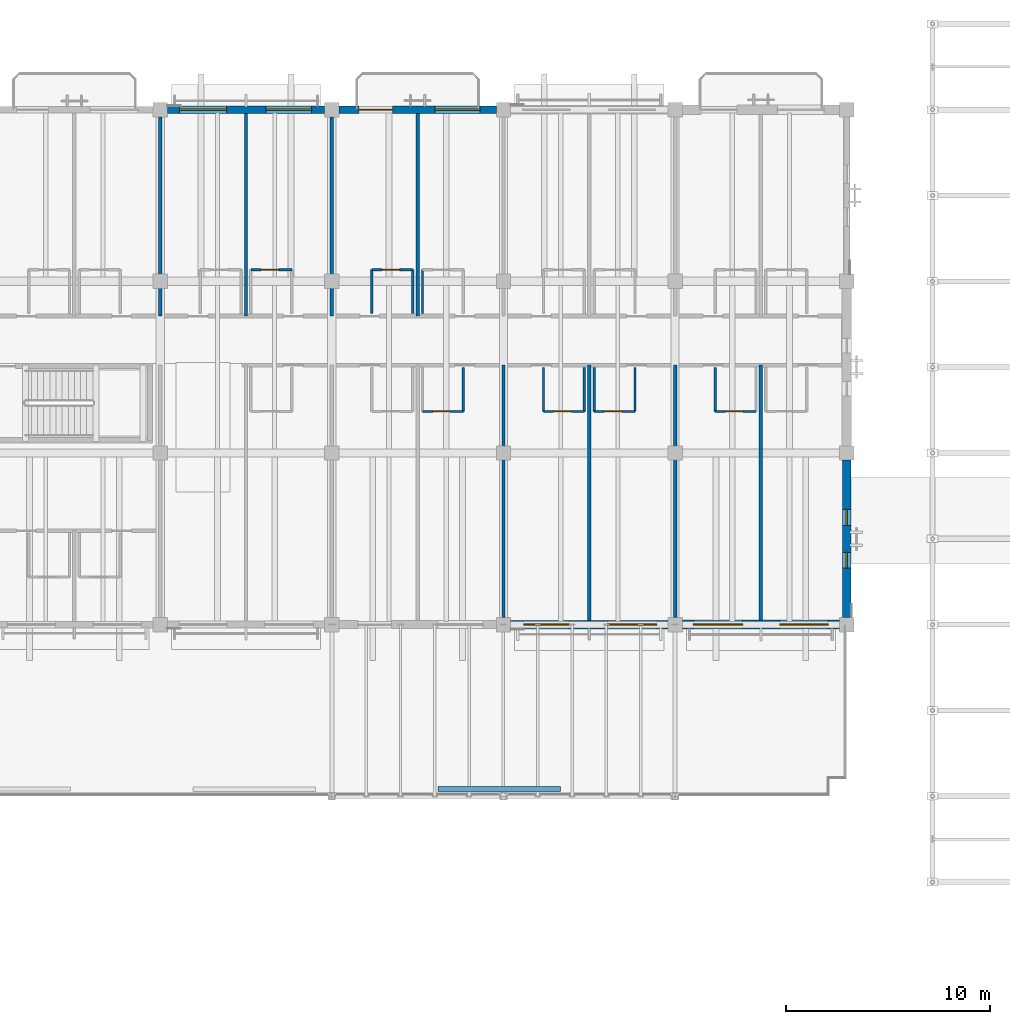
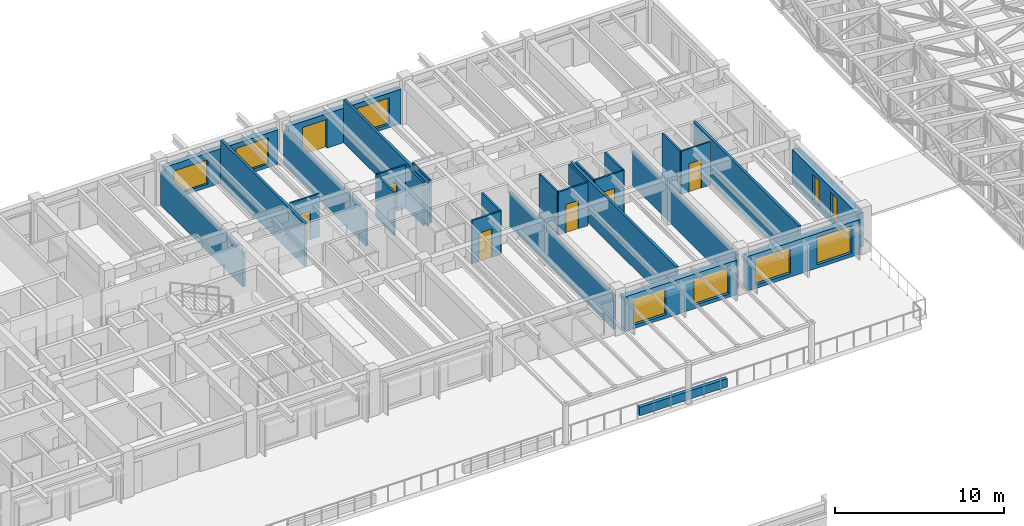
# One storey, part 92 of 111: 29 walls, 9 windows, 7 doors, 16 openings.
"""IFC4 building model written with IfcOpenShell, lengths in metres."""

from ifc_helpers import new_model, si_unit, direction, frame, frame_2d, origin, place, context, subcontext, project, spatial, rectangle, extrude, material, layer, layer_set, type_object, element, fill, save


model = new_model("IFC4")

# Units and contexts
model_context = context("Model", 3, precision=1e-05, world=origin(), true_north=direction((0.0, 1.0)))
body_context = subcontext(model_context, "Body", "Model", "MODEL_VIEW")
ifc_project = project(units=[si_unit("LENGTHUNIT", "METRE"), si_unit("AREAUNIT", "SQUARE_METRE"), si_unit("VOLUMEUNIT", "CUBIC_METRE"), si_unit("PLANEANGLEUNIT", "RADIAN"), si_unit("MASSUNIT", "GRAM", prefix="KILO")], contexts=[model_context])

# Site, building, storey
site_placement = place(None, origin())
site = spatial("IfcSite", under=ifc_project, at=site_placement, CompositionType="ELEMENT")
building_placement = place(site_placement, origin())
building = spatial("IfcBuilding", under=site, at=building_placement, Name="Cumbredor Promenade Congress Hotel", CompositionType="ELEMENT")
storey_placement = place(building_placement, frame((0.0, 0.0, 15.1201171875)))
storey = spatial("IfcBuildingStorey", under=building, at=storey_placement, Name="L04", CompositionType="ELEMENT", Elevation=15.1201171875)

# Wall, opening, door
ifc_material_1 = material(Name="Moisture-resistant gypsum board on steel studs", Category="steel")
ifc_layer_1 = layer(ifc_material_1, 0.114990234375, Name="Moisture-resistant gypsum board on steel studs", Category="steel")
ifc_layer_set_1 = layer_set([ifc_layer_1], Name="Moisture-resistant gypsum board on steel studs")
wall_type_1 = type_object("IfcWallType", Name="WL-BATH-115", PredefinedType="PARTITIONING", material=ifc_layer_set_1)
wall_1_placement = place(storey_placement, frame((54.840087890625, 109.77001953125, 0.0), z_axis=(0.0, 0.0, 1.0), x_axis=(1.0, 0.0, 0.0)))
wall_1 = element("IfcWall", 1, at=wall_1_placement, inside=storey, type_object=wall_type_1, Name="L04 Interior Partition W-L04-BH-0411", PredefinedType="PARTITIONING", context=body_context, shape_type="SweptSolid", body=[
    extrude(rectangle(XDim=2.0, YDim=0.114990234375, at=frame_2d((1.0, 0.0))), origin(), (0.0, 0.0, 1.0), 3.119873046875),
])
opening_1_placement = place(wall_1_placement, frame((0.5, 0.0, 0.0)))
opening_1 = element("IfcOpeningElement", 2, at=opening_1_placement, cuts=wall_1, Name="Opening ID-01", PredefinedType="OPENING", context=body_context, shape_type="SweptSolid", body=[
    extrude(rectangle(XDim=0.860107421875, YDim=2.050048828125, at=frame_2d((0.43017578125, 1.02490234375))), frame((0.0, 0.0673828125, 0.0), z_axis=(0.0, -1.0, 0.0), x_axis=(1.0, 0.0, 0.0)), (0.0, 0.0, 1.0), 0.135009765625),
])
ifc_material_2 = material(Name="Kiln-dried tropical hardwood", Category="wood")
door_type_1 = type_object("IfcDoorType", Name="DR-BATH-860", OperationType="NOTDEFINED", PredefinedType="DOOR", material=ifc_material_2)
door_1_placement = place(opening_1_placement, origin())
door_1 = element("IfcDoor", 3, at=door_1_placement, inside=storey, type_object=door_type_1, Name="L04 Interior Door W-L04-BH-0411-01", OperationType="SINGLE_SWING_RIGHT", OverallHeight=2.050048828125, OverallWidth=0.860107421875, PredefinedType="DOOR", context=body_context, shape_type="SweptSolid", body=[
    extrude(rectangle(XDim=0.860107421875, YDim=2.050048828125, at=frame_2d((0.43017578125, 1.02490234375))), frame((0.0, 0.02490234375, 0.0), z_axis=(0.0, -1.0, 0.0), x_axis=(1.0, 0.0, 0.0)), (0.0, 0.0, 1.0), 0.050048828125),
])
fill(opening_1, door_1)

wall_2_placement = place(storey_placement, frame((60.760009765625, 109.77001953125, 0.0), z_axis=(0.0, 0.0, 1.0), x_axis=(1.0, 0.0, 0.0)))
wall_2 = element("IfcWall", 4, at=wall_2_placement, inside=storey, type_object=wall_type_1, Name="L04 Interior Partition W-L04-BH-0412", PredefinedType="PARTITIONING", context=body_context, shape_type="SweptSolid", body=[
    extrude(rectangle(XDim=2.0, YDim=0.114990234375, at=frame_2d((1.0, 0.0))), origin(), (0.0, 0.0, 1.0), 3.119873046875),
])
opening_2_placement = place(wall_2_placement, frame((0.5, 0.0, 0.0)))
opening_2 = element("IfcOpeningElement", 5, at=opening_2_placement, cuts=wall_2, Name="Opening ID-01", PredefinedType="OPENING", context=body_context, shape_type="SweptSolid", body=[
    extrude(rectangle(XDim=0.860107421875, YDim=2.050048828125, at=frame_2d((0.43017578125, 1.02490234375))), frame((0.0, 0.0673828125, 0.0), z_axis=(0.0, -1.0, 0.0), x_axis=(1.0, 0.0, 0.0)), (0.0, 0.0, 1.0), 0.135009765625),
])
door_2_placement = place(opening_2_placement, origin())
door_2 = element("IfcDoor", 6, at=door_2_placement, inside=storey, type_object=door_type_1, Name="L04 Interior Door W-L04-BH-0412-01", OperationType="SINGLE_SWING_LEFT", OverallHeight=2.050048828125, OverallWidth=0.860107421875, PredefinedType="DOOR", context=body_context, shape_type="SweptSolid", body=[
    extrude(rectangle(XDim=0.860107421875, YDim=2.050048828125, at=frame_2d((0.43017578125, 1.02490234375))), frame((0.0, 0.02490234375, 0.0), z_axis=(0.0, -1.0, 0.0), x_axis=(1.0, 0.0, 0.0)), (0.0, 0.0, 1.0), 0.050048828125),
])
fill(opening_2, door_2)

# Walls
for number, where, z_axis, x_axis, name in (
    (7, (60.760009765625, 107.6201171875, 0.0), (0.0, 0.0, 1.0), (0.0, 1.0, 0.0), "L04 Interior Partition W-L04-BV1-0412"),
    (8, (62.760009765625, 107.6201171875, 0.0), (0.0, 0.0, 1.0), (0.0, 1.0, 0.0), "L04 Interior Partition W-L04-BV2-0412"),
    (9, (63.239990234375, 107.6201171875, 0.0), (0.0, 0.0, 1.0), (0.0, 1.0, 0.0), "L04 Interior Partition W-L04-BV1-0413"),
):
    element("IfcWall", number, at=place(storey_placement, frame(where, z_axis=z_axis, x_axis=x_axis)), inside=storey, type_object=wall_type_1, Name=name, PredefinedType="PARTITIONING", context=body_context, shape_type="SweptSolid", body=[
        extrude(rectangle(XDim=2.14990234375, YDim=0.114990234375, at=frame_2d((1.074951171875, 0.0))), origin(), (0.0, 0.0, 1.0), 3.119873046875),
    ])

# Wall, opening, door
wall_3_placement = place(storey_placement, frame((63.239990234375, 102.830078125, 0.0), z_axis=(0.0, 0.0, 1.0), x_axis=(1.0, 0.0, 0.0)))
wall_3 = element("IfcWall", 10, at=wall_3_placement, inside=storey, type_object=wall_type_1, Name="L04 Interior Partition W-L04-BH-0420", PredefinedType="PARTITIONING", context=body_context, shape_type="SweptSolid", body=[
    extrude(rectangle(XDim=2.0, YDim=0.114990234375, at=frame_2d((1.0, 0.0))), origin(), (0.0, 0.0, 1.0), 3.119873046875),
])
opening_3_placement = place(wall_3_placement, frame((0.5, 0.0, 0.0)))
opening_3 = element("IfcOpeningElement", 11, at=opening_3_placement, cuts=wall_3, Name="Opening ID-01", PredefinedType="OPENING", context=body_context, shape_type="SweptSolid", body=[
    extrude(rectangle(XDim=0.860107421875, YDim=2.050048828125, at=frame_2d((0.43017578125, 1.02490234375))), frame((0.0, 0.0673828125, 0.0), z_axis=(0.0, -1.0, 0.0), x_axis=(1.0, 0.0, 0.0)), (0.0, 0.0, 1.0), 0.135009765625),
])
door_3_placement = place(opening_3_placement, origin())
door_3 = element("IfcDoor", 12, at=door_3_placement, inside=storey, type_object=door_type_1, Name="L04 Interior Door W-L04-BH-0420-01", OperationType="SINGLE_SWING_LEFT", OverallHeight=2.050048828125, OverallWidth=0.860107421875, PredefinedType="DOOR", context=body_context, shape_type="SweptSolid", body=[
    extrude(rectangle(XDim=0.860107421875, YDim=2.050048828125, at=frame_2d((0.43017578125, 1.02490234375))), frame((0.0, 0.02490234375, 0.0), z_axis=(0.0, -1.0, 0.0), x_axis=(1.0, 0.0, 0.0)), (0.0, 0.0, 1.0), 0.050048828125),
])
fill(opening_3, door_3)

# Wall
wall_4_placement = place(storey_placement, frame((65.239990234375, 102.830078125, 0.0), z_axis=(0.0, 0.0, 1.0), x_axis=(0.0, 1.0, 0.0)))
element("IfcWall", 13, at=wall_4_placement, inside=storey, type_object=wall_type_1, Name="L04 Interior Partition W-L04-BV2-0420", PredefinedType="PARTITIONING", context=body_context, shape_type="SweptSolid", body=[
    extrude(rectangle(XDim=2.14990234375, YDim=0.114990234375, at=frame_2d((1.074951171875, 0.0))), origin(), (0.0, 0.0, 1.0), 3.119873046875),
])

# Wall, opening, door
wall_5_placement = place(storey_placement, frame((69.159912109375, 102.830078125, 0.0), z_axis=(0.0, 0.0, 1.0), x_axis=(1.0, 0.0, 0.0)))
wall_5 = element("IfcWall", 14, at=wall_5_placement, inside=storey, type_object=wall_type_1, Name="L04 Interior Partition W-L04-BH-0421", PredefinedType="PARTITIONING", context=body_context, shape_type="SweptSolid", body=[
    extrude(rectangle(XDim=2.0, YDim=0.114990234375, at=frame_2d((1.0, 0.0))), origin(), (0.0, 0.0, 1.0), 3.119873046875),
])
opening_4_placement = place(wall_5_placement, frame((0.5, 0.0, 0.0)))
opening_4 = element("IfcOpeningElement", 15, at=opening_4_placement, cuts=wall_5, Name="Opening ID-01", PredefinedType="OPENING", context=body_context, shape_type="SweptSolid", body=[
    extrude(rectangle(XDim=0.860107421875, YDim=2.050048828125, at=frame_2d((0.43017578125, 1.02490234375))), frame((0.0, 0.0673828125, 0.0), z_axis=(0.0, -1.0, 0.0), x_axis=(1.0, 0.0, 0.0)), (0.0, 0.0, 1.0), 0.135009765625),
])
door_4_placement = place(opening_4_placement, origin())
door_4 = element("IfcDoor", 16, at=door_4_placement, inside=storey, type_object=door_type_1, Name="L04 Interior Door W-L04-BH-0421-01", OperationType="SINGLE_SWING_RIGHT", OverallHeight=2.050048828125, OverallWidth=0.860107421875, PredefinedType="DOOR", context=body_context, shape_type="SweptSolid", body=[
    extrude(rectangle(XDim=0.860107421875, YDim=2.050048828125, at=frame_2d((0.43017578125, 1.02490234375))), frame((0.0, 0.02490234375, 0.0), z_axis=(0.0, -1.0, 0.0), x_axis=(1.0, 0.0, 0.0)), (0.0, 0.0, 1.0), 0.050048828125),
])
fill(opening_4, door_4)

# Walls
for number, where, z_axis, x_axis, name in (
    (17, (69.159912109375, 102.830078125, 0.0), (0.0, 0.0, 1.0), (0.0, 1.0, 0.0), "L04 Interior Partition W-L04-BV1-0421"),
    (18, (71.159912109375, 102.830078125, 0.0), (0.0, 0.0, 1.0), (0.0, 1.0, 0.0), "L04 Interior Partition W-L04-BV2-0421"),
):
    element("IfcWall", number, at=place(storey_placement, frame(where, z_axis=z_axis, x_axis=x_axis)), inside=storey, type_object=wall_type_1, Name=name, PredefinedType="PARTITIONING", context=body_context, shape_type="SweptSolid", body=[
        extrude(rectangle(XDim=2.14990234375, YDim=0.114990234375, at=frame_2d((1.074951171875, 0.0))), origin(), (0.0, 0.0, 1.0), 3.119873046875),
    ])

# Wall, opening, door
wall_6_placement = place(storey_placement, frame((71.639892578125, 102.830078125, 0.0), z_axis=(0.0, 0.0, 1.0), x_axis=(1.0, 0.0, 0.0)))
wall_6 = element("IfcWall", 19, at=wall_6_placement, inside=storey, type_object=wall_type_1, Name="L04 Interior Partition W-L04-BH-0422", PredefinedType="PARTITIONING", context=body_context, shape_type="SweptSolid", body=[
    extrude(rectangle(XDim=2.0, YDim=0.114990234375, at=frame_2d((1.0, 0.0))), origin(), (0.0, 0.0, 1.0), 3.119873046875),
])
opening_5_placement = place(wall_6_placement, frame((0.5, 0.0, 0.0)))
opening_5 = element("IfcOpeningElement", 20, at=opening_5_placement, cuts=wall_6, Name="Opening ID-01", PredefinedType="OPENING", context=body_context, shape_type="SweptSolid", body=[
    extrude(rectangle(XDim=0.860107421875, YDim=2.050048828125, at=frame_2d((0.43017578125, 1.02490234375))), frame((0.0, 0.0673828125, 0.0), z_axis=(0.0, -1.0, 0.0), x_axis=(1.0, 0.0, 0.0)), (0.0, 0.0, 1.0), 0.135009765625),
])
door_5_placement = place(opening_5_placement, origin())
door_5 = element("IfcDoor", 21, at=door_5_placement, inside=storey, type_object=door_type_1, Name="L04 Interior Door W-L04-BH-0422-01", OperationType="SINGLE_SWING_LEFT", OverallHeight=2.050048828125, OverallWidth=0.860107421875, PredefinedType="DOOR", context=body_context, shape_type="SweptSolid", body=[
    extrude(rectangle(XDim=0.860107421875, YDim=2.050048828125, at=frame_2d((0.43017578125, 1.02490234375))), frame((0.0, 0.02490234375, 0.0), z_axis=(0.0, -1.0, 0.0), x_axis=(1.0, 0.0, 0.0)), (0.0, 0.0, 1.0), 0.050048828125),
])
fill(opening_5, door_5)

# Walls
for number, where, z_axis, x_axis, name in (
    (22, (71.639892578125, 102.830078125, 0.0), (0.0, 0.0, 1.0), (0.0, 1.0, 0.0), "L04 Interior Partition W-L04-BV1-0422"),
    (23, (73.639892578125, 102.830078125, 0.0), (0.0, 0.0, 1.0), (0.0, 1.0, 0.0), "L04 Interior Partition W-L04-BV2-0422"),
):
    element("IfcWall", number, at=place(storey_placement, frame(where, z_axis=z_axis, x_axis=x_axis)), inside=storey, type_object=wall_type_1, Name=name, PredefinedType="PARTITIONING", context=body_context, shape_type="SweptSolid", body=[
        extrude(rectangle(XDim=2.14990234375, YDim=0.114990234375, at=frame_2d((1.074951171875, 0.0))), origin(), (0.0, 0.0, 1.0), 3.119873046875),
    ])

# Wall, opening, door
wall_7_placement = place(storey_placement, frame((77.56005859375, 102.830078125, 0.0), z_axis=(0.0, 0.0, 1.0), x_axis=(1.0, 0.0, 0.0)))
wall_7 = element("IfcWall", 24, at=wall_7_placement, inside=storey, type_object=wall_type_1, Name="L04 Interior Partition W-L04-BH-0423", PredefinedType="PARTITIONING", context=body_context, shape_type="SweptSolid", body=[
    extrude(rectangle(XDim=2.0, YDim=0.114990234375, at=frame_2d((1.0, 0.0))), origin(), (0.0, 0.0, 1.0), 3.119873046875),
])
opening_6_placement = place(wall_7_placement, frame((0.5, 0.0, 0.0)))
opening_6 = element("IfcOpeningElement", 25, at=opening_6_placement, cuts=wall_7, Name="Opening ID-01", PredefinedType="OPENING", context=body_context, shape_type="SweptSolid", body=[
    extrude(rectangle(XDim=0.860107421875, YDim=2.050048828125, at=frame_2d((0.43017578125, 1.02490234375))), frame((0.0, 0.0673828125, 0.0), z_axis=(0.0, -1.0, 0.0), x_axis=(1.0, 0.0, 0.0)), (0.0, 0.0, 1.0), 0.135009765625),
])
door_6_placement = place(opening_6_placement, origin())
door_6 = element("IfcDoor", 26, at=door_6_placement, inside=storey, type_object=door_type_1, Name="L04 Interior Door W-L04-BH-0423-01", OperationType="SINGLE_SWING_RIGHT", OverallHeight=2.050048828125, OverallWidth=0.860107421875, PredefinedType="DOOR", context=body_context, shape_type="SweptSolid", body=[
    extrude(rectangle(XDim=0.860107421875, YDim=2.050048828125, at=frame_2d((0.43017578125, 1.02490234375))), frame((0.0, 0.02490234375, 0.0), z_axis=(0.0, -1.0, 0.0), x_axis=(1.0, 0.0, 0.0)), (0.0, 0.0, 1.0), 0.050048828125),
])
fill(opening_6, door_6)

# Wall
wall_8_placement = place(storey_placement, frame((77.56005859375, 102.830078125, 0.0), z_axis=(0.0, 0.0, 1.0), x_axis=(0.0, 1.0, 0.0)))
element("IfcWall", 27, at=wall_8_placement, inside=storey, type_object=wall_type_1, Name="L04 Interior Partition W-L04-BV1-0423", PredefinedType="PARTITIONING", context=body_context, shape_type="SweptSolid", body=[
    extrude(rectangle(XDim=2.14990234375, YDim=0.114990234375, at=frame_2d((1.074951171875, 0.0))), origin(), (0.0, 0.0, 1.0), 3.119873046875),
])

# Wall, openings, windows
ifc_material_3 = material(Name="Concrete C40/50", Category="concrete")
ifc_layer_2 = layer(ifc_material_3, 0.35009765625, Name="Concrete C40/50", Category="concrete")
ifc_layer_set_2 = layer_set([ifc_layer_2], Name="Concrete C40/50")
wall_type_2 = type_object("IfcWallType", Name="WL-EXT-350", PredefinedType="SOLIDWALL", material=ifc_layer_set_2)
wall_9_placement = place(storey_placement, frame((50.7509765625, 117.60009765625, 0.0), z_axis=(0.0, 0.0, 1.0), x_axis=(1.0, 0.0, 0.0)))
wall_9 = element("IfcWall", 28, at=wall_9_placement, inside=storey, type_object=wall_type_2, Name="L04 Stepped Congress Hotel Wing North Envelope Wall 7", PredefinedType="SOLIDWALL", context=body_context, shape_type="SweptSolid", body=[
    extrude(rectangle(XDim=7.697998046875, YDim=0.35009765625, at=frame_2d((3.84912109375, 0.0))), origin(), (0.0, 0.0, 1.0), 2.493896484375),
])
opening_7_placement = place(wall_9_placement, frame((0.59912109375, 0.0, 0.25)))
opening_7 = element("IfcOpeningElement", 29, at=opening_7_placement, cuts=wall_9, Name="Opening WN-25", PredefinedType="OPENING", context=body_context, shape_type="SweptSolid", body=[
    extrude(rectangle(XDim=2.300048828125, YDim=1.75, at=frame_2d((1.14990234375, 0.875))), frame((0.0, 0.18505859375, 0.0), z_axis=(0.0, -1.0, 0.0), x_axis=(1.0, 0.0, 0.0)), (0.0, 0.0, 1.0), 0.3701171875),
])
opening_8_placement = place(wall_9_placement, frame((4.839111328125, 0.0, 0.25)))
opening_8 = element("IfcOpeningElement", 30, at=opening_8_placement, cuts=wall_9, Name="Opening WN-35", PredefinedType="OPENING", context=body_context, shape_type="SweptSolid", body=[
    extrude(rectangle(XDim=2.219970703125, YDim=1.89990234375, at=frame_2d((1.10986328125, 0.949951171875))), frame((0.0, 0.18505859375, 0.0), z_axis=(0.0, -1.0, 0.0), x_axis=(1.0, 0.0, 0.0)), (0.0, 0.0, 1.0), 0.3701171875),
])
ifc_material_4 = material(Name="Thermally broken anodized aluminium and low-E glass", Category="aluminium")
window_type_1 = type_object("IfcWindowType", Name="Hospitality Floor-to-Ceiling Window WN-25 2300x1750", PartitioningType="DOUBLE_PANEL_VERTICAL", PredefinedType="WINDOW", material=ifc_material_4)
window_1_placement = place(opening_7_placement, origin())
window_1 = element("IfcWindow", 31, at=window_1_placement, inside=storey, type_object=window_type_1, Name="L04 Wide Hospitality Window 0496", OverallHeight=1.75, OverallWidth=2.300048828125, PartitioningType="DOUBLE_PANEL_VERTICAL", PredefinedType="WINDOW", context=body_context, shape_type="SweptSolid", body=[
    extrude(rectangle(XDim=2.300048828125, YDim=1.75, at=frame_2d((1.14990234375, 0.875))), frame((0.0, 0.030029296875, 0.0), z_axis=(0.0, -1.0, 0.0), x_axis=(1.0, 0.0, 0.0)), (0.0, 0.0, 1.0), 0.06005859375),
])
fill(opening_7, window_1)
window_type_2 = type_object("IfcWindowType", Name="Hospitality Floor-to-Ceiling Window WN-35 2220x1900", PartitioningType="DOUBLE_PANEL_VERTICAL", PredefinedType="WINDOW", material=ifc_material_4)
window_2_placement = place(opening_8_placement, origin())
window_2 = element("IfcWindow", 32, at=window_2_placement, inside=storey, type_object=window_type_2, Name="L04 Wide Hospitality Window 0497", OverallHeight=1.89990234375, OverallWidth=2.219970703125, PartitioningType="DOUBLE_PANEL_VERTICAL", PredefinedType="WINDOW", context=body_context, shape_type="SweptSolid", body=[
    extrude(rectangle(XDim=2.219970703125, YDim=1.89990234375, at=frame_2d((1.10986328125, 0.949951171875))), frame((0.0, 0.030029296875, 0.0), z_axis=(0.0, -1.0, 0.0), x_axis=(1.0, 0.0, 0.0)), (0.0, 0.0, 1.0), 0.06005859375),
])
fill(opening_8, window_2)

# Wall, openings, door, window
ifc_layer_3 = layer(ifc_material_3, 0.3798828125, Name="Concrete C40/50", Category="concrete")
ifc_layer_set_3 = layer_set([ifc_layer_3], Name="Concrete C40/50")
wall_type_3 = type_object("IfcWallType", Name="WL-EXT-380", PredefinedType="SOLIDWALL", material=ifc_layer_set_3)
wall_10_placement = place(storey_placement, frame((59.15087890625, 117.60009765625, 0.0), z_axis=(0.0, 0.0, 1.0), x_axis=(1.0, 0.0, 0.0)))
wall_10 = element("IfcWall", 33, at=wall_10_placement, inside=storey, type_object=wall_type_3, Name="L04 Stepped Congress Hotel Wing North Envelope Wall 8", PredefinedType="SOLIDWALL", context=body_context, shape_type="SweptSolid", body=[
    extrude(rectangle(XDim=7.6982421875, YDim=0.3798828125, at=frame_2d((3.84912109375, 0.0))), origin(), (0.0, 0.0, 1.0), 2.493896484375),
])
opening_9_placement = place(wall_10_placement, frame((0.97412109375, 0.0, 0.0)))
opening_9 = element("IfcOpeningElement", 34, at=opening_9_placement, cuts=wall_10, Name="Opening TD-02", PredefinedType="OPENING", context=body_context, shape_type="SweptSolid", body=[
    extrude(rectangle(XDim=1.64990234375, YDim=2.080078125, at=frame_2d((0.824951171875, 1.0400390625))), frame((0.0, 0.199951171875, 0.0), z_axis=(0.0, -1.0, 0.0), x_axis=(1.0, 0.0, 0.0)), (0.0, 0.0, 1.0), 0.39990234375),
])
opening_10_placement = place(wall_10_placement, frame((4.68896484375, 0.0, 0.25)))
opening_10 = element("IfcOpeningElement", 35, at=opening_10_placement, cuts=wall_10, Name="Opening WN-35", PredefinedType="OPENING", context=body_context, shape_type="SweptSolid", body=[
    extrude(rectangle(XDim=2.219970703125, YDim=1.89990234375, at=frame_2d((1.10986328125, 0.949951171875))), frame((0.0, 0.199951171875, 0.0), z_axis=(0.0, -1.0, 0.0), x_axis=(1.0, 0.0, 0.0)), (0.0, 0.0, 1.0), 0.39990234375),
])
ifc_material_5 = material(Name="Thermally broken anodized aluminium and laminated safety glass", Category="aluminium")
door_type_2 = type_object("IfcDoorType", Name="EXT-DR-TER-1650x2080", OperationType="DOUBLE_DOOR_SINGLE_SWING", PredefinedType="DOOR", material=ifc_material_5)
door_7_placement = place(opening_9_placement, origin())
door_7 = element("IfcDoor", 36, at=door_7_placement, inside=storey, type_object=door_type_2, Name="L04 Guestroom Veranda Balcony Door 055", OperationType="DOUBLE_DOOR_SINGLE_SWING", OverallHeight=2.080078125, OverallWidth=1.64990234375, PredefinedType="DOOR", context=body_context, shape_type="SweptSolid", body=[
    extrude(rectangle(XDim=1.64990234375, YDim=2.080078125, at=frame_2d((0.824951171875, 1.0400390625))), frame((0.0, 0.02490234375, 0.0), z_axis=(0.0, -1.0, 0.0), x_axis=(1.0, 0.0, 0.0)), (0.0, 0.0, 1.0), 0.050048828125),
])
fill(opening_9, door_7)
window_3_placement = place(opening_10_placement, origin())
window_3 = element("IfcWindow", 37, at=window_3_placement, inside=storey, type_object=window_type_2, Name="L04 Veranda Companion Floor-to-Ceiling Window 0498", OverallHeight=1.89990234375, OverallWidth=2.219970703125, PartitioningType="DOUBLE_PANEL_VERTICAL", PredefinedType="WINDOW", context=body_context, shape_type="SweptSolid", body=[
    extrude(rectangle(XDim=2.219970703125, YDim=1.89990234375, at=frame_2d((1.10986328125, 0.949951171875))), frame((0.0, 0.030029296875, 0.0), z_axis=(0.0, -1.0, 0.0), x_axis=(1.0, 0.0, 0.0)), (0.0, 0.0, 1.0), 0.06005859375),
])
fill(opening_10, window_3)

# Wall, openings, windows
ifc_layer_4 = layer(ifc_material_3, 0.425048828125, Name="Concrete C40/50", Category="concrete")
ifc_layer_set_4 = layer_set([ifc_layer_4], Name="Concrete C40/50")
wall_type_4 = type_object("IfcWallType", Name="WL-EXT-425", PredefinedType="SOLIDWALL", material=ifc_layer_set_4)
wall_11_placement = place(storey_placement, frame((67.551025390625, 92.39990234375, 0.0), z_axis=(0.0, 0.0, 1.0), x_axis=(1.0, 0.0, 0.0)))
wall_11 = element("IfcWall", 38, at=wall_11_placement, inside=storey, type_object=wall_type_4, Name="L04 Stepped Congress Hotel Wing South Envelope Wall 9", PredefinedType="SOLIDWALL", context=body_context, shape_type="SweptSolid", body=[
    extrude(rectangle(XDim=7.697998046875, YDim=0.425048828125, at=frame_2d((3.84912109375, 0.0))), origin(), (0.0, 0.0, 1.0), 2.493896484375),
])
opening_11_placement = place(wall_11_placement, frame((0.638916015625, 0.0, 0.25)))
opening_11 = element("IfcOpeningElement", 39, at=opening_11_placement, cuts=wall_11, Name="Opening WN-35", PredefinedType="OPENING", context=body_context, shape_type="SweptSolid", body=[
    extrude(rectangle(XDim=2.219970703125, YDim=1.89990234375, at=frame_2d((1.10986328125, 0.949951171875))), frame((0.0, 0.22265625, 0.0), z_axis=(0.0, -1.0, 0.0), x_axis=(1.0, 0.0, 0.0)), (0.0, 0.0, 1.0), 0.445068359375),
])
opening_12_placement = place(wall_11_placement, frame((4.739013671875, 0.0, 0.25)))
opening_12 = element("IfcOpeningElement", 40, at=opening_12_placement, cuts=wall_11, Name="Opening WN-37", PredefinedType="OPENING", context=body_context, shape_type="SweptSolid", body=[
    extrude(rectangle(XDim=2.419921875, YDim=1.89990234375, at=frame_2d((1.2099609375, 0.949951171875))), frame((0.0, 0.22265625, 0.0), z_axis=(0.0, -1.0, 0.0), x_axis=(1.0, 0.0, 0.0)), (0.0, 0.0, 1.0), 0.445068359375),
])
window_4_placement = place(opening_11_placement, origin())
window_4 = element("IfcWindow", 41, at=window_4_placement, inside=storey, type_object=window_type_2, Name="L04 Wide Hospitality Window 0485", OverallHeight=1.89990234375, OverallWidth=2.219970703125, PartitioningType="DOUBLE_PANEL_VERTICAL", PredefinedType="WINDOW", context=body_context, shape_type="SweptSolid", body=[
    extrude(rectangle(XDim=2.219970703125, YDim=1.89990234375, at=frame_2d((1.10986328125, 0.949951171875))), frame((0.0, 0.030029296875, 0.0), z_axis=(0.0, -1.0, 0.0), x_axis=(1.0, 0.0, 0.0)), (0.0, 0.0, 1.0), 0.06005859375),
])
fill(opening_11, window_4)
window_type_3 = type_object("IfcWindowType", Name="Hospitality Floor-to-Ceiling Window WN-37 2420x1900", PartitioningType="DOUBLE_PANEL_VERTICAL", PredefinedType="WINDOW", material=ifc_material_4)
window_5_placement = place(opening_12_placement, origin())
window_5 = element("IfcWindow", 42, at=window_5_placement, inside=storey, type_object=window_type_3, Name="L04 Wide Hospitality Window 0486", OverallHeight=1.89990234375, OverallWidth=2.419921875, PartitioningType="DOUBLE_PANEL_VERTICAL", PredefinedType="WINDOW", context=body_context, shape_type="SweptSolid", body=[
    extrude(rectangle(XDim=2.419921875, YDim=1.89990234375, at=frame_2d((1.2099609375, 0.949951171875))), frame((0.0, 0.030029296875, 0.0), z_axis=(0.0, -1.0, 0.0), x_axis=(1.0, 0.0, 0.0)), (0.0, 0.0, 1.0), 0.06005859375),
])
fill(opening_12, window_5)

wall_12_placement = place(storey_placement, frame((84.0, 92.7509765625, 0.0), z_axis=(0.0, 0.0, 1.0), x_axis=(0.0, 1.0, 0.0)))
wall_12 = element("IfcWall", 43, at=wall_12_placement, inside=storey, type_object=wall_type_4, Name="L04 Stepped Congress Hotel Wing East Envelope Wall 1", PredefinedType="SOLIDWALL", context=body_context, shape_type="SweptSolid", body=[
    extrude(rectangle(XDim=7.697998046875, YDim=0.425048828125, at=frame_2d((3.84912109375, 0.0))), origin(), (0.0, 0.0, 1.0), 2.493896484375),
])
opening_13_placement = place(wall_12_placement, frame((2.408935546875, 0.0, 0.300048828125)))
opening_13 = element("IfcOpeningElement", 44, at=opening_13_placement, cuts=wall_12, Name="Opening WN-46", PredefinedType="OPENING", context=body_context, shape_type="SweptSolid", body=[
    extrude(rectangle(XDim=0.780029296875, YDim=1.85009765625, at=frame_2d((0.39013671875, 0.925048828125))), frame((0.0, 0.22265625, 0.0), z_axis=(0.0, -1.0, 0.0), x_axis=(1.0, 0.0, 0.0)), (0.0, 0.0, 1.0), 0.445068359375),
])
opening_14_placement = place(wall_12_placement, frame((4.509033203125, 0.0, 0.300048828125)))
opening_14 = element("IfcOpeningElement", 45, at=opening_14_placement, cuts=wall_12, Name="Opening WN-46", PredefinedType="OPENING", context=body_context, shape_type="SweptSolid", body=[
    extrude(rectangle(XDim=0.780029296875, YDim=1.85009765625, at=frame_2d((0.39013671875, 0.925048828125))), frame((0.0, 0.22265625, 0.0), z_axis=(0.0, -1.0, 0.0), x_axis=(1.0, 0.0, 0.0)), (0.0, 0.0, 1.0), 0.445068359375),
])
window_type_4 = type_object("IfcWindowType", Name="Vertical Slot Window WN-46 780x1850", PartitioningType="SINGLE_PANEL", PredefinedType="WINDOW", material=ifc_material_4)
window_6_placement = place(opening_13_placement, origin())
window_6 = element("IfcWindow", 46, at=window_6_placement, inside=storey, type_object=window_type_4, Name="L04 Vertical Slot Window 0508", OverallHeight=1.85009765625, OverallWidth=0.780029296875, PartitioningType="SINGLE_PANEL", PredefinedType="WINDOW", context=body_context, shape_type="SweptSolid", body=[
    extrude(rectangle(XDim=0.780029296875, YDim=1.85009765625, at=frame_2d((0.39013671875, 0.925048828125))), frame((0.0, 0.030029296875, 0.0), z_axis=(0.0, -1.0, 0.0), x_axis=(1.0, 0.0, 0.0)), (0.0, 0.0, 1.0), 0.06005859375),
])
fill(opening_13, window_6)
window_7_placement = place(opening_14_placement, origin())
window_7 = element("IfcWindow", 47, at=window_7_placement, inside=storey, type_object=window_type_4, Name="L04 Vertical Slot Window 0509", OverallHeight=1.85009765625, OverallWidth=0.780029296875, PartitioningType="SINGLE_PANEL", PredefinedType="WINDOW", context=body_context, shape_type="SweptSolid", body=[
    extrude(rectangle(XDim=0.780029296875, YDim=1.85009765625, at=frame_2d((0.39013671875, 0.925048828125))), frame((0.0, 0.030029296875, 0.0), z_axis=(0.0, -1.0, 0.0), x_axis=(1.0, 0.0, 0.0)), (0.0, 0.0, 1.0), 0.06005859375),
])
fill(opening_14, window_7)

ifc_layer_5 = layer(ifc_material_3, 0.449951171875, Name="Concrete C40/50", Category="concrete")
ifc_layer_set_5 = layer_set([ifc_layer_5], Name="Concrete C40/50")
wall_type_5 = type_object("IfcWallType", Name="WL-EXT-450", PredefinedType="SOLIDWALL", material=ifc_layer_set_5)
wall_13_placement = place(storey_placement, frame((75.950927734375, 92.39990234375, 0.0), z_axis=(0.0, 0.0, 1.0), x_axis=(1.0, 0.0, 0.0)))
wall_13 = element("IfcWall", 48, at=wall_13_placement, inside=storey, type_object=wall_type_5, Name="L04 Stepped Congress Hotel Wing South Envelope Wall 10", PredefinedType="SOLIDWALL", context=body_context, shape_type="SweptSolid", body=[
    extrude(rectangle(XDim=7.697998046875, YDim=0.449951171875, at=frame_2d((3.84912109375, 0.0))), origin(), (0.0, 0.0, 1.0), 2.493896484375),
])
opening_15_placement = place(wall_13_placement, frame((0.5390625, 0.0, 0.25)))
opening_15 = element("IfcOpeningElement", 49, at=opening_15_placement, cuts=wall_13, Name="Opening WN-37", PredefinedType="OPENING", context=body_context, shape_type="SweptSolid", body=[
    extrude(rectangle(XDim=2.419921875, YDim=1.89990234375, at=frame_2d((1.2099609375, 0.949951171875))), frame((0.0, 0.23486328125, 0.0), z_axis=(0.0, -1.0, 0.0), x_axis=(1.0, 0.0, 0.0)), (0.0, 0.0, 1.0), 0.469970703125),
])
opening_16_placement = place(wall_13_placement, frame((4.759033203125, 0.0, 0.25)))
opening_16 = element("IfcOpeningElement", 50, at=opening_16_placement, cuts=wall_13, Name="Opening WN-41", PredefinedType="OPENING", context=body_context, shape_type="SweptSolid", body=[
    extrude(rectangle(XDim=2.3798828125, YDim=2.0, at=frame_2d((1.18994140625, 1.0))), frame((0.0, 0.23486328125, 0.0), z_axis=(0.0, -1.0, 0.0), x_axis=(1.0, 0.0, 0.0)), (0.0, 0.0, 1.0), 0.469970703125),
])
window_8_placement = place(opening_15_placement, origin())
window_8 = element("IfcWindow", 51, at=window_8_placement, inside=storey, type_object=window_type_3, Name="L04 Wide Hospitality Window 0487", OverallHeight=1.89990234375, OverallWidth=2.419921875, PartitioningType="DOUBLE_PANEL_VERTICAL", PredefinedType="WINDOW", context=body_context, shape_type="SweptSolid", body=[
    extrude(rectangle(XDim=2.419921875, YDim=1.89990234375, at=frame_2d((1.2099609375, 0.949951171875))), frame((0.0, 0.030029296875, 0.0), z_axis=(0.0, -1.0, 0.0), x_axis=(1.0, 0.0, 0.0)), (0.0, 0.0, 1.0), 0.06005859375),
])
fill(opening_15, window_8)
window_type_5 = type_object("IfcWindowType", Name="Hospitality Floor-to-Ceiling Window WN-41 2380x2000", PartitioningType="DOUBLE_PANEL_VERTICAL", PredefinedType="WINDOW", material=ifc_material_4)
window_9_placement = place(opening_16_placement, origin())
window_9 = element("IfcWindow", 52, at=window_9_placement, inside=storey, type_object=window_type_5, Name="L04 Wide Hospitality Window 0488", OverallHeight=2.0, OverallWidth=2.3798828125, PartitioningType="DOUBLE_PANEL_VERTICAL", PredefinedType="WINDOW", context=body_context, shape_type="SweptSolid", body=[
    extrude(rectangle(XDim=2.3798828125, YDim=2.0, at=frame_2d((1.18994140625, 1.0))), frame((0.0, 0.030029296875, 0.0), z_axis=(0.0, -1.0, 0.0), x_axis=(1.0, 0.0, 0.0)), (0.0, 0.0, 1.0), 0.06005859375),
])
fill(opening_16, window_9)

# Walls
ifc_material_6 = material(Name="Precast concrete C40/50", Category="concrete")
ifc_layer_6 = layer(ifc_material_6, 0.239990234375, Name="Precast concrete C40/50", Category="concrete")
ifc_layer_set_6 = layer_set([ifc_layer_6], Name="Precast concrete C40/50")
wall_type_6 = type_object("IfcWallType", Name="WL-PAR-240", PredefinedType="PARAPET", material=ifc_layer_set_6)
wall_14_placement = place(storey_placement, frame((64.0, 84.35009765625, 0.0), z_axis=(0.0, 0.0, 1.0), x_axis=(1.0, 0.0, 0.0)))
element("IfcWall", 53, at=wall_14_placement, inside=storey, type_object=wall_type_6, Name="L04 Sky Garden Planter Upstand Parapet 62", PredefinedType="PARAPET", context=body_context, shape_type="SweptSolid", body=[
    extrude(rectangle(XDim=6.0, YDim=0.239990234375, at=frame_2d((3.0, 0.0))), origin(), (0.0, 0.0, 1.0), 0.599853515625),
])
ifc_material_7 = material(Name="Fire-rated acoustic double-stud partition")
ifc_layer_7 = layer(ifc_material_7, 0.1650390625, Name="Fire-rated acoustic double-stud partition")
ifc_layer_set_7 = layer_set([ifc_layer_7], Name="Fire-rated acoustic double-stud partition")
wall_type_7 = type_object("IfcWallType", Name="WL-UNIT-165", PredefinedType="PARTITIONING", material=ifc_layer_set_7)
wall_15_placement = place(storey_placement, frame((54.60009765625, 107.5, 0.0), z_axis=(0.0, 0.0, 1.0), x_axis=(0.0, 1.0, 0.0)))
element("IfcWall", 54, at=wall_15_placement, inside=storey, type_object=wall_type_7, Name="L04 Interior Partition W-L04-N-DIV-6-M", PredefinedType="PARTITIONING", context=body_context, shape_type="SweptSolid", body=[
    extrude(rectangle(XDim=9.925048828125, YDim=0.1650390625, at=frame_2d((4.96240234375, 0.0))), origin(), (0.0, 0.0, 1.0), 3.119873046875),
])
wall_16_placement = place(storey_placement, frame((50.39990234375, 107.5, 0.0), z_axis=(0.0, 0.0, 1.0), x_axis=(0.0, 1.0, 0.0)))
element("IfcWall", 55, at=wall_16_placement, inside=storey, type_object=wall_type_7, Name="L04 Interior Partition W-L04-N-DIV-6-G", PredefinedType="PARTITIONING", context=body_context, shape_type="SweptSolid", body=[
    extrude(rectangle(XDim=9.75, YDim=0.1650390625, at=frame_2d((4.875, 0.0))), origin(), (0.0, 0.0, 1.0), 2.454833984375),
])
wall_17_placement = place(storey_placement, frame((63.0, 107.5, 0.0), z_axis=(0.0, 0.0, 1.0), x_axis=(0.0, 1.0, 0.0)))
element("IfcWall", 56, at=wall_17_placement, inside=storey, type_object=wall_type_7, Name="L04 Interior Partition W-L04-N-DIV-7-M", PredefinedType="PARTITIONING", context=body_context, shape_type="SweptSolid", body=[
    extrude(rectangle(XDim=9.909912109375, YDim=0.1650390625, at=frame_2d((4.955078125, 0.0))), origin(), (0.0, 0.0, 1.0), 3.119873046875),
])
wall_18_placement = place(storey_placement, frame((58.800048828125, 107.5, 0.0), z_axis=(0.0, 0.0, 1.0), x_axis=(0.0, 1.0, 0.0)))
element("IfcWall", 57, at=wall_18_placement, inside=storey, type_object=wall_type_7, Name="L04 Interior Partition W-L04-N-DIV-7-G", PredefinedType="PARTITIONING", context=body_context, shape_type="SweptSolid", body=[
    extrude(rectangle(XDim=9.75, YDim=0.1650390625, at=frame_2d((4.875, 0.0))), origin(), (0.0, 0.0, 1.0), 2.454833984375),
])
wall_19_placement = place(storey_placement, frame((71.39990234375, 92.612548828125, 0.0), z_axis=(0.0, 0.0, 1.0), x_axis=(0.0, 1.0, 0.0)))
element("IfcWall", 58, at=wall_19_placement, inside=storey, type_object=wall_type_7, Name="L04 Interior Partition W-L04-SE-DIV-2-M", PredefinedType="PARTITIONING", context=body_context, shape_type="SweptSolid", body=[
    extrude(rectangle(XDim=12.487548828125, YDim=0.1650390625, at=frame_2d((6.24365234375, 0.0))), origin(), (0.0, 0.0, 1.0), 3.119873046875),
])
wall_20_placement = place(storey_placement, frame((67.199951171875, 92.75, 0.0), z_axis=(0.0, 0.0, 1.0), x_axis=(0.0, 1.0, 0.0)))
element("IfcWall", 59, at=wall_20_placement, inside=storey, type_object=wall_type_7, Name="L04 Interior Partition W-L04-SE-DIV-2-G", PredefinedType="PARTITIONING", context=body_context, shape_type="SweptSolid", body=[
    extrude(rectangle(XDim=12.35009765625, YDim=0.1650390625, at=frame_2d((6.175048828125, 0.0))), origin(), (0.0, 0.0, 1.0), 2.454833984375),
])
wall_21_placement = place(storey_placement, frame((79.800048828125, 92.625, 0.0), z_axis=(0.0, 0.0, 1.0), x_axis=(0.0, 1.0, 0.0)))
element("IfcWall", 60, at=wall_21_placement, inside=storey, type_object=wall_type_7, Name="L04 Interior Partition W-L04-SE-DIV-3-M", PredefinedType="PARTITIONING", context=body_context, shape_type="SweptSolid", body=[
    extrude(rectangle(XDim=12.47509765625, YDim=0.1650390625, at=frame_2d((6.237548828125, 0.0))), origin(), (0.0, 0.0, 1.0), 3.119873046875),
])
wall_22_placement = place(storey_placement, frame((75.60009765625, 92.75, 0.0), z_axis=(0.0, 0.0, 1.0), x_axis=(0.0, 1.0, 0.0)))
element("IfcWall", 61, at=wall_22_placement, inside=storey, type_object=wall_type_7, Name="L04 Interior Partition W-L04-SE-DIV-3-G", PredefinedType="PARTITIONING", context=body_context, shape_type="SweptSolid", body=[
    extrude(rectangle(XDim=12.35009765625, YDim=0.1650390625, at=frame_2d((6.175048828125, 0.0))), origin(), (0.0, 0.0, 1.0), 2.454833984375),
])

save(model, "model.ifc")
